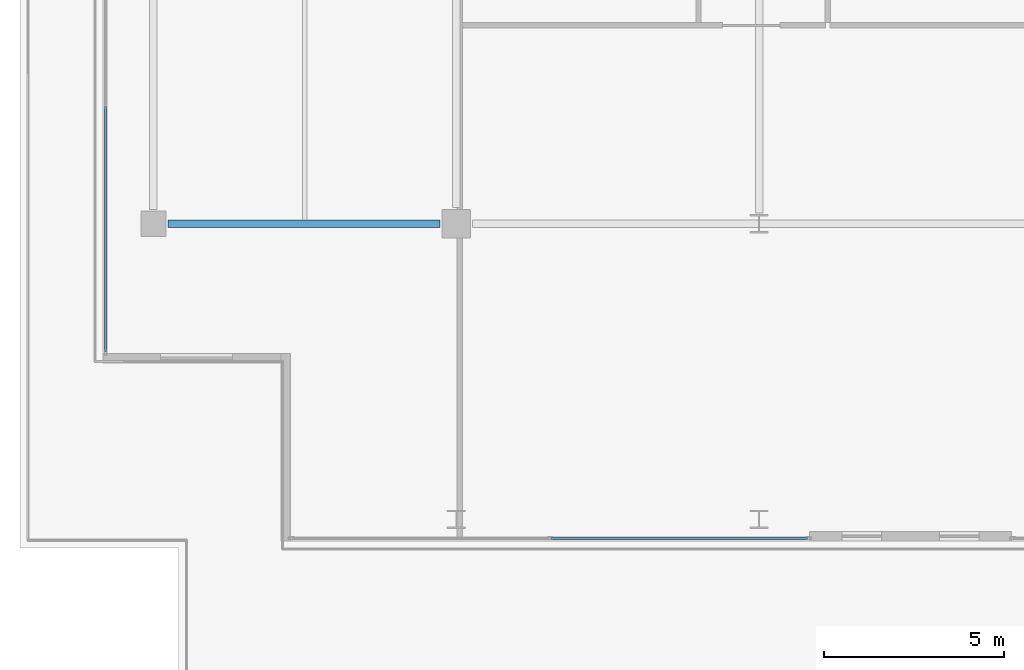
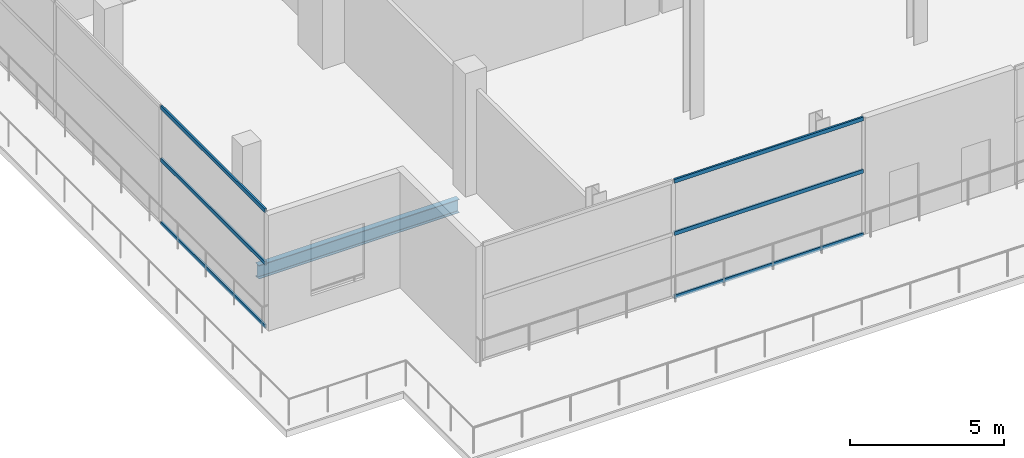
# One storey, part 3 of 28: 6 members, 1 beam, 2 elements without a shape of their own.
"""IFC4 building model written with IfcOpenShell, lengths in metres."""

from ifc_helpers import new_model, si_unit, direction, frame, origin, origin_2d, place, context, subcontext, project, spatial, hollow_rectangle, i_section, extrude, material, layer, layer_set, material_profile, profile_set, type_object, element, aggregate, save


model = new_model("IFC4")

# Units and contexts
model_context = context("Model", 3, precision=1e-05, world=origin(), true_north=direction((0.0, 1.0)))
body_context = subcontext(model_context, "Body", "Model", "MODEL_VIEW")
ifc_project = project(units=[si_unit("LENGTHUNIT", "METRE"), si_unit("AREAUNIT", "SQUARE_METRE"), si_unit("VOLUMEUNIT", "CUBIC_METRE"), si_unit("PLANEANGLEUNIT", "RADIAN"), si_unit("MASSUNIT", "GRAM", prefix="KILO")], contexts=[model_context])

# Site, building, storey
site_placement = place(None, origin())
site = spatial("IfcSite", under=ifc_project, at=site_placement, CompositionType="ELEMENT")
building_placement = place(site_placement, origin())
building = spatial("IfcBuilding", under=site, at=building_placement, Name="Maruvema Waterfront Hotel and Observation Tower", CompositionType="ELEMENT")
storey_placement = place(building_placement, frame((0.0, 0.0, 234.5)))
storey = spatial("IfcBuildingStorey", under=building, at=storey_placement, Name="L57", CompositionType="ELEMENT", Elevation=234.5)

# Curtain wall, members
ifc_material_1 = material(Name="Anodised bronze aluminium and solar-control low-E IGU", Category="aluminium")
ifc_layer = layer(ifc_material_1, 0.159912109375, Name="Zone 3 Champagne Inner Thermal Curtain Wall System CW-04")
ifc_layer_set = layer_set([ifc_layer], Name="Anodised bronze aluminium and solar-control low-E IGU")
curtain_wall_type = type_object("IfcCurtainWallType", Name="Zone 3 Champagne Inner Thermal Curtain Wall System CW-04", PredefinedType="USERDEFINED", material=ifc_layer_set)
curtain_wall_1_placement = place(storey_placement, origin())
curtain_wall_1 = element("IfcCurtainWall", 1, at=curtain_wall_1_placement, inside=storey, type_object=curtain_wall_type, Name="L57 Curtain Wall CW-L57-SW", ObjectType="UNITISED CURTAIN WALL", PredefinedType="USERDEFINED")
ifc_material_2 = material(Name="Anodised architectural bronze aluminium", Category="aluminium")
ifc_material_profile_1 = material_profile(ifc_material_2, hollow_rectangle(XDim=0.070068359375, YDim=0.14990234375, WallThickness=0.00390625, at=origin_2d()), Name="ALU-T70x150")
ifc_profile_set_1 = profile_set([ifc_material_profile_1], Name="Anodised architectural bronze aluminium")
member_type = type_object("IfcMemberType", Name="Curtain Wall Horizontal Transom ALU-T70x150", PredefinedType="USERDEFINED", material=ifc_profile_set_1)
member_1_placement = place(storey_placement, frame((27.830078125, 9.280029296875, 0.030029296875), z_axis=(1.0, 0.0, 0.0), x_axis=(0.0, 1.0, 0.0)))
member_1 = element("IfcMember", 2, at=member_1_placement, type_object=member_type, Name="CW-04 transom 2.1", ObjectType="TRANSOM", PredefinedType="USERDEFINED", context=body_context, shape_type="SweptSolid", body=[
    extrude(hollow_rectangle(XDim=0.070068359375, YDim=0.14990234375, WallThickness=0.00390625, at=origin_2d()), origin(), (0.0, 0.0, 1.0), 7.10986328125),
])
member_2_placement = place(storey_placement, frame((27.830078125, 9.280029296875, 2.550048828125), z_axis=(1.0, 0.0, 0.0), x_axis=(0.0, 1.0, 0.0)))
member_2 = element("IfcMember", 3, at=member_2_placement, type_object=member_type, Name="CW-04 transom 2.2", ObjectType="TRANSOM", PredefinedType="USERDEFINED", context=body_context, shape_type="SweptSolid", body=[
    extrude(hollow_rectangle(XDim=0.070068359375, YDim=0.14990234375, WallThickness=0.00390625, at=origin_2d()), origin(), (0.0, 0.0, 1.0), 7.10986328125),
])
member_3_placement = place(storey_placement, frame((27.830078125, 9.280029296875, 4.6298828125), z_axis=(1.0, 0.0, 0.0), x_axis=(0.0, 1.0, 0.0)))
member_3 = element("IfcMember", 4, at=member_3_placement, type_object=member_type, Name="CW-04 transom 2.3", ObjectType="TRANSOM", PredefinedType="USERDEFINED", context=body_context, shape_type="SweptSolid", body=[
    extrude(hollow_rectangle(XDim=0.070068359375, YDim=0.14990234375, WallThickness=0.00390625, at=origin_2d()), origin(), (0.0, 0.0, 1.0), 7.10986328125),
])
aggregate(curtain_wall_1, [member_1, member_2, member_3])

curtain_wall_2_placement = place(storey_placement, origin())
curtain_wall_2 = element("IfcCurtainWall", 5, at=curtain_wall_2_placement, inside=storey, type_object=curtain_wall_type, Name="L57 Curtain Wall CW-L57-W", ObjectType="UNITISED CURTAIN WALL", PredefinedType="USERDEFINED")
member_4_placement = place(storey_placement, frame((15.47998046875, 21.25, 0.030029296875), z_axis=(0.0, -1.0, 0.0), x_axis=(1.0, 0.0, 0.0)))
member_4 = element("IfcMember", 6, at=member_4_placement, type_object=member_type, Name="CW-04 transom 5.1", ObjectType="TRANSOM", PredefinedType="USERDEFINED", context=body_context, shape_type="SweptSolid", body=[
    extrude(hollow_rectangle(XDim=0.070068359375, YDim=0.14990234375, WallThickness=0.00390625, at=origin_2d()), origin(), (0.0, 0.0, 1.0), 6.7900390625),
])
member_5_placement = place(storey_placement, frame((15.47998046875, 21.25, 2.550048828125), z_axis=(0.0, -1.0, 0.0), x_axis=(1.0, 0.0, 0.0)))
member_5 = element("IfcMember", 7, at=member_5_placement, type_object=member_type, Name="CW-04 transom 5.2", ObjectType="TRANSOM", PredefinedType="USERDEFINED", context=body_context, shape_type="SweptSolid", body=[
    extrude(hollow_rectangle(XDim=0.070068359375, YDim=0.14990234375, WallThickness=0.00390625, at=origin_2d()), origin(), (0.0, 0.0, 1.0), 6.7900390625),
])
member_6_placement = place(storey_placement, frame((15.47998046875, 21.25, 4.6298828125), z_axis=(0.0, -1.0, 0.0), x_axis=(1.0, 0.0, 0.0)))
member_6 = element("IfcMember", 8, at=member_6_placement, type_object=member_type, Name="CW-04 transom 5.3", ObjectType="TRANSOM", PredefinedType="USERDEFINED", context=body_context, shape_type="SweptSolid", body=[
    extrude(hollow_rectangle(XDim=0.070068359375, YDim=0.14990234375, WallThickness=0.00390625, at=origin_2d()), origin(), (0.0, 0.0, 1.0), 6.7900390625),
])
aggregate(curtain_wall_2, [member_4, member_5, member_6])

# Beam
ifc_material_3 = material(Name="Steel ASTM A572 Grade 50", Category="steel")
ifc_material_profile_2 = material_profile(ifc_material_3, i_section(OverallWidth=0.2109375, OverallDepth=0.5390625, WebThickness=0.01171875, FlangeThickness=0.018798828125, FilletRadius=0.014892578125, at=origin_2d()), Name="W530x109.0")
ifc_profile_set_2 = profile_set([ifc_material_profile_2], Name="Steel ASTM A572 Grade 50")
beam_type = type_object("IfcBeamType", Name="Primary Floor Girder W530x109.0", PredefinedType="BEAM", material=ifc_profile_set_2)
beam_placement = place(storey_placement, frame((17.199951171875, 18.0, -0.509521484375), z_axis=(1.0, 0.0, 0.0), x_axis=(0.0, 1.0, 0.0)))
element("IfcBeam", 9, at=beam_placement, inside=storey, type_object=beam_type, Name="L57 Floor Girder EW-01", PredefinedType="BEAM", context=body_context, shape_type="SweptSolid", body=[
    extrude(i_section(OverallWidth=0.2109375, OverallDepth=0.5390625, WebThickness=0.01171875, FlangeThickness=0.018798828125, FilletRadius=0.014892578125, at=origin_2d()), origin(), (0.0, 0.0, 1.0), 7.550048828125),
])

save(model, "model.ifc")
